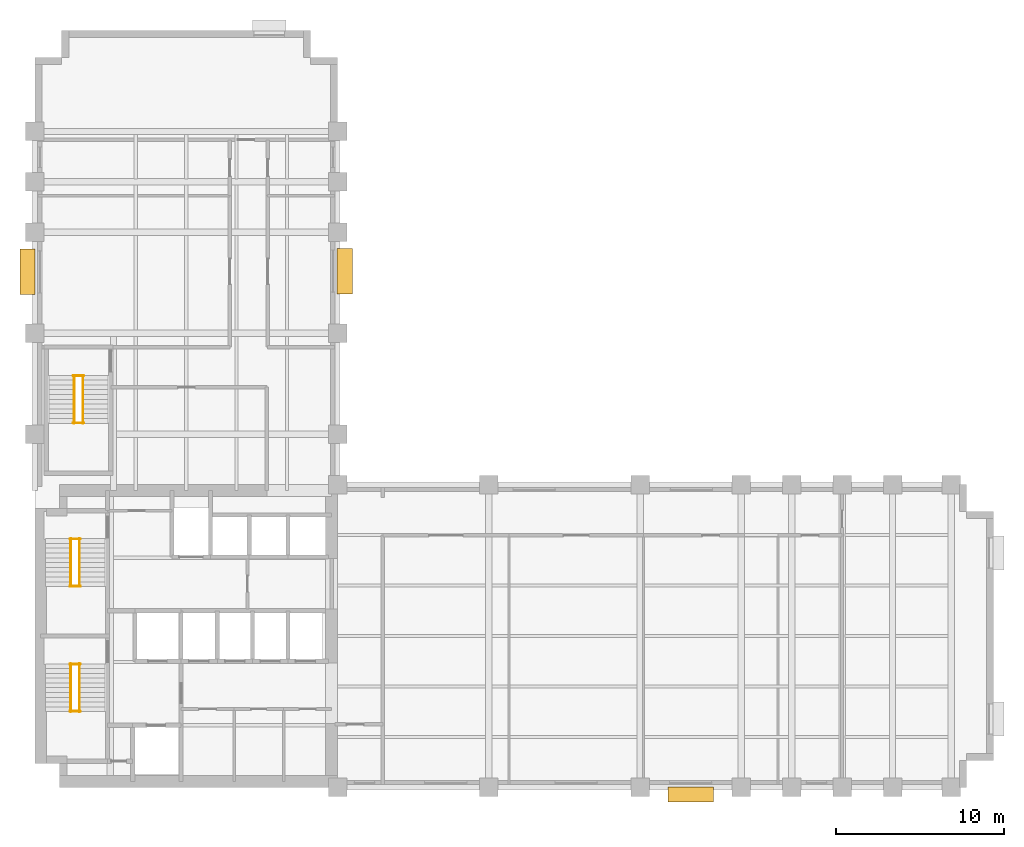
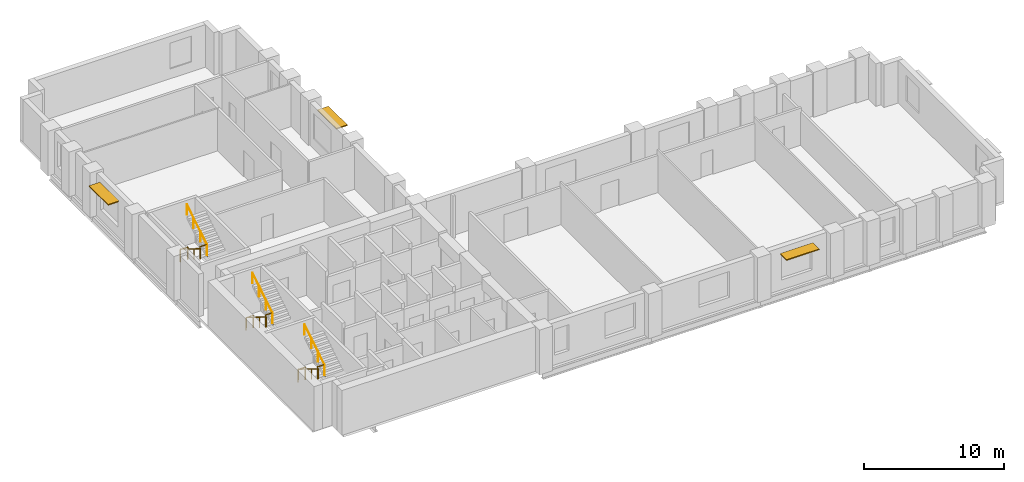
# One storey, part 7 of 8: 12 railings, 3 shading devices.
"""IFC4 building model written with IfcOpenShell, lengths in metres."""

from ifc_helpers import new_model, si_unit, direction, frame, origin, origin_2d, place, context, subcontext, project, spatial, rectangle, circle, extrude, material, layer, layer_set, type_object, element, save


model = new_model("IFC4")

# Units and contexts
model_context = context("Model", 3, precision=1e-05, world=origin(), true_north=direction((0.0, 1.0)))
body_context = subcontext(model_context, "Body", "Model", "MODEL_VIEW")
ifc_project = project(units=[si_unit("LENGTHUNIT", "METRE"), si_unit("AREAUNIT", "SQUARE_METRE"), si_unit("VOLUMEUNIT", "CUBIC_METRE"), si_unit("PLANEANGLEUNIT", "RADIAN"), si_unit("MASSUNIT", "GRAM", prefix="KILO")], contexts=[model_context])

# Site, building, storey
site_placement = place(None, origin())
site = spatial("IfcSite", under=ifc_project, at=site_placement, CompositionType="ELEMENT")
building_placement = place(site_placement, origin())
building = spatial("IfcBuilding", under=site, at=building_placement, Name="Mawjdan Bourse Tower", CompositionType="ELEMENT")
storey_placement = place(building_placement, frame((0.0, 0.0, 97.199951171875)))
storey = spatial("IfcBuildingStorey", under=building, at=storey_placement, Name="L22", CompositionType="ELEMENT", Elevation=97.199951171875)

# Railings
ifc_material_1 = material(Name="Structural Steel S355", Category="steel")
railing_type_1 = type_object("IfcRailingType", Name="RLG-GRD-1100", PredefinedType="GUARDRAIL", material=ifc_material_1)
for number, where, name in (
    (1, (8.090087890625, 7.52001953125, 1.949951171875), "L22 ST1 Landing Guardrail GL-MID"),
    (2, (8.090087890625, 10.330078125, 0.0), "L22 ST1 Landing Guardrail GL-BOT"),
    (3, (8.090087890625, 14.9599609375, 1.949951171875), "L22 ST2 Landing Guardrail GL-MID"),
    (4, (8.090087890625, 17.77001953125, 0.0), "L22 ST2 Landing Guardrail GL-BOT"),
    (5, (8.2900390625, 24.669921875, 1.949951171875), "L22 ST3 Landing Guardrail GL-MID"),
    (6, (8.2900390625, 27.47998046875, 0.0), "L22 ST3 Landing Guardrail GL-BOT"),
):
    element("IfcRailing", number, at=place(storey_placement, frame(where)), inside=storey, type_object=railing_type_1, Name=name, PredefinedType="GUARDRAIL", context=body_context, shape_type="SweptSolid", body=[
        extrude(circle(Radius=0.02490234375, at=origin_2d()), frame((0.0, 0.0, 1.0751953125), z_axis=(1.0, 0.0, 0.0), x_axis=(0.0, 1.0, 0.0)), (0.0, 0.0, 1.0), 0.619873046875),
        extrude(circle(Radius=0.02099609375, at=origin_2d()), origin(), (0.0, 0.0, 1.0), 1.050048828125),
        extrude(circle(Radius=0.02099609375, at=origin_2d()), frame((0.619873046875, 0.0, 0.0)), (0.0, 0.0, 1.0), 1.050048828125),
    ])
ifc_material_2 = material(Name="Brushed Stainless Steel", Category="steel")
railing_type_2 = type_object("IfcRailingType", Name="RLG-HND-920", PredefinedType="HANDRAIL", material=ifc_material_2)
railing_1_placement = place(storey_placement, frame((8.139892578125, 10.35009765625, 0.17724609375)))
element("IfcRailing", 7, at=railing_1_placement, inside=storey, type_object=railing_type_2, Name="L22 ST1 Flight Handrail HR1", PredefinedType="HANDRAIL", context=body_context, shape_type="SweptSolid", body=[
    extrude(circle(Radius=0.0224609375, at=origin_2d()), frame((0.0, 0.0, 0.8974609375), z_axis=(0.0, -0.849148672731, 0.528153890072), x_axis=(1.0, 0.0, 0.0)), (0.0, 0.0, 1.0), 3.3564453125),
    extrude(circle(Radius=0.01904296875, at=origin_2d()), origin(), (0.0, 0.0, 1.0), 0.875),
    extrude(circle(Radius=0.01904296875, at=origin_2d()), frame((0.0, -0.949951171875, 0.5908203125)), (0.0, 0.0, 1.0), 0.875),
    extrude(circle(Radius=0.01904296875, at=origin_2d()), frame((0.0, -1.900146484375, 1.181884765625)), (0.0, 0.0, 1.0), 0.875),
    extrude(circle(Radius=0.01904296875, at=origin_2d()), frame((0.0, -2.85009765625, 1.772705078125)), (0.0, 0.0, 1.0), 0.875),
])
railing_2_placement = place(storey_placement, frame((8.659912109375, 7.5, 2.12744140625)))
element("IfcRailing", 8, at=railing_2_placement, inside=storey, type_object=railing_type_2, Name="L22 ST1 Flight Handrail HR2", PredefinedType="HANDRAIL", context=body_context, shape_type="SweptSolid", body=[
    extrude(circle(Radius=0.0224609375, at=origin_2d()), frame((0.0, 0.0, 0.8974609375), z_axis=(0.0, 0.849148672731, 0.528153890072), x_axis=(-1.0, 0.0, 0.0)), (0.0, 0.0, 1.0), 3.3564453125),
    extrude(circle(Radius=0.01904296875, at=origin_2d()), origin(), (0.0, 0.0, 1.0), 0.875),
    extrude(circle(Radius=0.01904296875, at=origin_2d()), frame((0.0, 0.949951171875, 0.5908203125)), (0.0, 0.0, 1.0), 0.875),
    extrude(circle(Radius=0.01904296875, at=origin_2d()), frame((0.0, 1.900146484375, 1.181884765625)), (0.0, 0.0, 1.0), 0.875),
    extrude(circle(Radius=0.01904296875, at=origin_2d()), frame((0.0, 2.85009765625, 1.772705078125)), (0.0, 0.0, 1.0), 0.875),
])
railing_3_placement = place(storey_placement, frame((8.139892578125, 17.7900390625, 0.17724609375)))
element("IfcRailing", 9, at=railing_3_placement, inside=storey, type_object=railing_type_2, Name="L22 ST2 Flight Handrail HR1", PredefinedType="HANDRAIL", context=body_context, shape_type="SweptSolid", body=[
    extrude(circle(Radius=0.0224609375, at=origin_2d()), frame((0.0, 0.0, 0.8974609375), z_axis=(0.0, -0.849148672731, 0.528153890072), x_axis=(1.0, 0.0, 0.0)), (0.0, 0.0, 1.0), 3.3564453125),
    extrude(circle(Radius=0.01904296875, at=origin_2d()), origin(), (0.0, 0.0, 1.0), 0.875),
    extrude(circle(Radius=0.01904296875, at=origin_2d()), frame((0.0, -0.949951171875, 0.5908203125)), (0.0, 0.0, 1.0), 0.875),
    extrude(circle(Radius=0.01904296875, at=origin_2d()), frame((0.0, -1.900146484375, 1.181884765625)), (0.0, 0.0, 1.0), 0.875),
    extrude(circle(Radius=0.01904296875, at=origin_2d()), frame((0.0, -2.85009765625, 1.772705078125)), (0.0, 0.0, 1.0), 0.875),
])
railing_4_placement = place(storey_placement, frame((8.659912109375, 14.93994140625, 2.12744140625)))
element("IfcRailing", 10, at=railing_4_placement, inside=storey, type_object=railing_type_2, Name="L22 ST2 Flight Handrail HR2", PredefinedType="HANDRAIL", context=body_context, shape_type="SweptSolid", body=[
    extrude(circle(Radius=0.0224609375, at=origin_2d()), frame((0.0, 0.0, 0.8974609375), z_axis=(0.0, 0.849148672731, 0.528153890072), x_axis=(-1.0, 0.0, 0.0)), (0.0, 0.0, 1.0), 3.3564453125),
    extrude(circle(Radius=0.01904296875, at=origin_2d()), origin(), (0.0, 0.0, 1.0), 0.875),
    extrude(circle(Radius=0.01904296875, at=origin_2d()), frame((0.0, 0.949951171875, 0.5908203125)), (0.0, 0.0, 1.0), 0.875),
    extrude(circle(Radius=0.01904296875, at=origin_2d()), frame((0.0, 1.900146484375, 1.181884765625)), (0.0, 0.0, 1.0), 0.875),
    extrude(circle(Radius=0.01904296875, at=origin_2d()), frame((0.0, 2.85009765625, 1.772705078125)), (0.0, 0.0, 1.0), 0.875),
])
railing_5_placement = place(storey_placement, frame((8.340087890625, 27.5, 0.17724609375)))
element("IfcRailing", 11, at=railing_5_placement, inside=storey, type_object=railing_type_2, Name="L22 ST3 Flight Handrail HR1", PredefinedType="HANDRAIL", context=body_context, shape_type="SweptSolid", body=[
    extrude(circle(Radius=0.0224609375, at=origin_2d()), frame((0.0, 0.0, 0.8974609375), z_axis=(0.0, -0.849148672731, 0.528153890072), x_axis=(1.0, 0.0, 0.0)), (0.0, 0.0, 1.0), 3.3564453125),
    extrude(circle(Radius=0.01904296875, at=origin_2d()), origin(), (0.0, 0.0, 1.0), 0.875),
    extrude(circle(Radius=0.01904296875, at=origin_2d()), frame((0.0, -0.949951171875, 0.5908203125)), (0.0, 0.0, 1.0), 0.875),
    extrude(circle(Radius=0.01904296875, at=origin_2d()), frame((0.0, -1.900146484375, 1.181884765625)), (0.0, 0.0, 1.0), 0.875),
    extrude(circle(Radius=0.01904296875, at=origin_2d()), frame((0.0, -2.85009765625, 1.772705078125)), (0.0, 0.0, 1.0), 0.875),
])
railing_6_placement = place(storey_placement, frame((8.860107421875, 24.64990234375, 2.12744140625)))
element("IfcRailing", 12, at=railing_6_placement, inside=storey, type_object=railing_type_2, Name="L22 ST3 Flight Handrail HR2", PredefinedType="HANDRAIL", context=body_context, shape_type="SweptSolid", body=[
    extrude(circle(Radius=0.0224609375, at=origin_2d()), frame((0.0, 0.0, 0.8974609375), z_axis=(0.0, 0.849148672731, 0.528153890072), x_axis=(-1.0, 0.0, 0.0)), (0.0, 0.0, 1.0), 3.3564453125),
    extrude(circle(Radius=0.01904296875, at=origin_2d()), origin(), (0.0, 0.0, 1.0), 0.875),
    extrude(circle(Radius=0.01904296875, at=origin_2d()), frame((0.0, 0.949951171875, 0.5908203125)), (0.0, 0.0, 1.0), 0.875),
    extrude(circle(Radius=0.01904296875, at=origin_2d()), frame((0.0, 1.900146484375, 1.181884765625)), (0.0, 0.0, 1.0), 0.875),
    extrude(circle(Radius=0.01904296875, at=origin_2d()), frame((0.0, 2.85009765625, 1.772705078125)), (0.0, 0.0, 1.0), 0.875),
])

# Shading devices
ifc_material_3 = material(Name="Bronze Anodised Aluminium", Category="aluminium")
ifc_layer = layer(ifc_material_3, 0.0849609375)
ifc_layer_set = layer_set([ifc_layer], Name="Bronze Anodised Aluminium")
shading_device_type = type_object("IfcShadingDeviceType", Name="SHD-SUN-900", PredefinedType="USERDEFINED", material=ifc_layer_set)
for number, where, z_axis, x_axis, name in (
    (13, (44.99365234375, 2.570068359375, 3.10009765625), (0.0, 0.0, 1.0), (1.0, 0.0, 0.0), "L22 Solar Window Hood 01"),
    (14, (24.429931640625, 33.699951171875, 3.10009765625), (0.0, 0.0, 1.0), (0.0, 1.0, 0.0), "L22 Solar Window Hood 06"),
    (15, (5.570068359375, 33.64990234375, 3.10009765625), (0.0, 0.0, 1.0), (0.0, -1.0, 0.0), "L22 Solar Window Hood 08"),
):
    element("IfcShadingDevice", number, at=place(storey_placement, frame(where, z_axis=z_axis, x_axis=x_axis)), inside=storey, type_object=shading_device_type, Name=name, ObjectType="SUNSHADE", PredefinedType="USERDEFINED", context=body_context, shape_type="SweptSolid", body=[
        extrude(rectangle(XDim=2.699951171875, YDim=0.89990234375, at=origin_2d()), origin(), (0.0, 0.0, 1.0), 0.0849609375),
    ])

save(model, "model.ifc")
